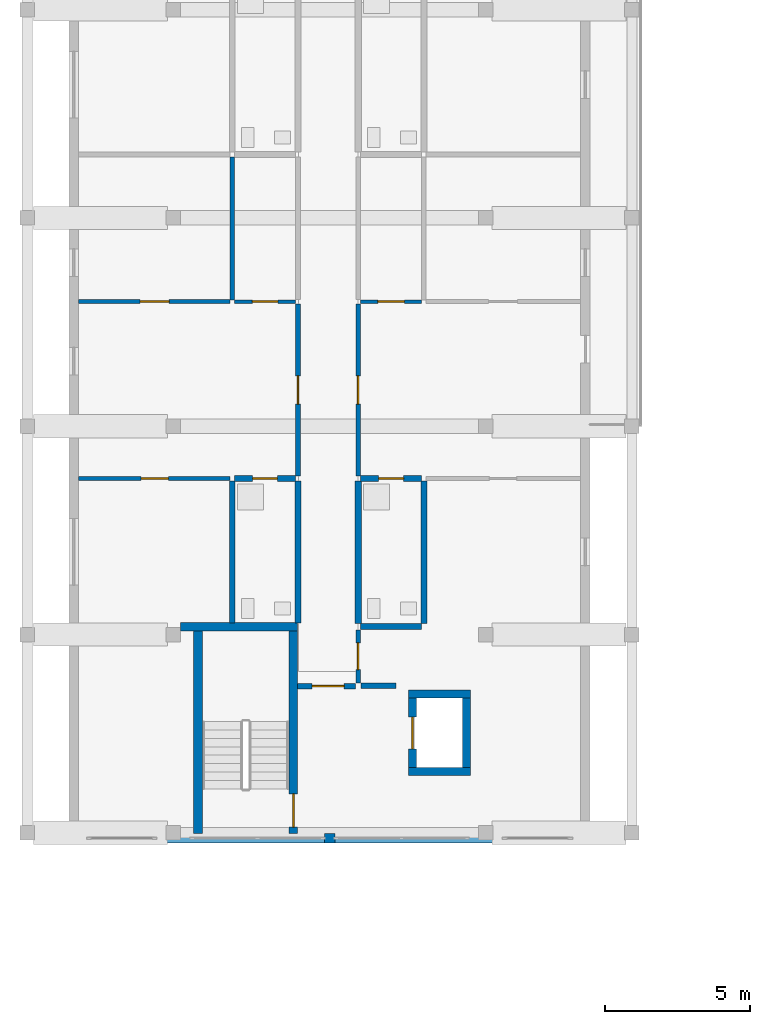
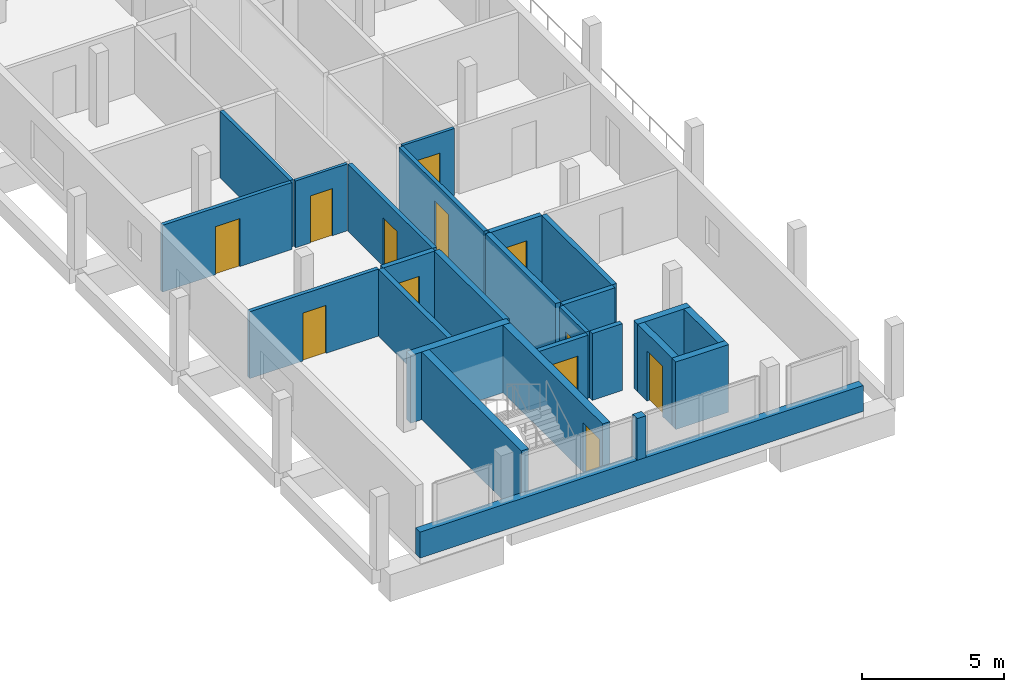
# One storey, part 12 of 29: 26 walls, 12 doors, 12 openings.
"""IFC4 building model written with IfcOpenShell, lengths in metres."""

from ifc_helpers import new_model, si_unit, derived_unit, direction, frame, frame_2d, origin, place, context, subcontext, project, spatial, rectangle, extrude, material, layer, layer_set, type_object, element, fill, save


model = new_model("IFC4")

# Units and contexts
model_context = context("Model", 3, precision=1e-05, world=origin(), true_north=direction((0.0, 1.0)))
body_context = subcontext(model_context, "Body", "Model", "MODEL_VIEW")
ifc_project = project(units=[si_unit("LENGTHUNIT", "METRE"), si_unit("AREAUNIT", "SQUARE_METRE"), si_unit("VOLUMEUNIT", "CUBIC_METRE"), si_unit("PLANEANGLEUNIT", "RADIAN"), si_unit("MASSUNIT", "GRAM", prefix="KILO"), derived_unit("THERMALTRANSMITTANCEUNIT", [(si_unit("MASSUNIT", "GRAM", prefix="KILO"), 1), (si_unit("TIMEUNIT", "SECOND"), -3), (si_unit("THERMODYNAMICTEMPERATUREUNIT", "KELVIN"), -1)])], contexts=[model_context])

# Site, building, storey
site_placement = place(None, origin())
site = spatial("IfcSite", under=ifc_project, at=site_placement, CompositionType="ELEMENT")
building_placement = place(site_placement, origin())
building = spatial("IfcBuilding", under=site, at=building_placement, Name="Ochrekiln Boulevard Commons", CompositionType="ELEMENT")
storey_placement = place(building_placement, frame((0.0, 0.0, 37.27490234375)))
storey = spatial("IfcBuildingStorey", under=building, at=storey_placement, Name="L11", CompositionType="ELEMENT", Elevation=37.27490234375)

# Walls
ifc_material_1 = material(Name="Desert ochre clinker brick masonry ASTM C216 Grade SW", Category="masonry")
ifc_layer_1 = layer(ifc_material_1, 0.320068359375)
ifc_layer_set_1 = layer_set([ifc_layer_1], Name="Desert ochre clinker brick masonry ASTM C216 Grade SW")
wall_type_1 = type_object("IfcWallType", Name="WL-EXT-OCHRE-320", PredefinedType="SOLIDWALL", material=ifc_layer_set_1)
wall_1_placement = place(storey_placement, frame((1.800048828125, 68.56005859375, 0.0), z_axis=(0.0, 0.0, 1.0), x_axis=(1.0, 0.0, 0.0)))
element("IfcWall", 1, at=wall_1_placement, inside=storey, type_object=wall_type_1, Name="Block A L11 Courtyard Gable Sill Wall", PredefinedType="SOLIDWALL", context=body_context, shape_type="SweptSolid", body=[
    extrude(rectangle(XDim=18.0, YDim=0.320068359375, at=frame_2d((9.0, 0.0))), origin(), (0.0, 0.0, 1.0), 1.110107421875),
])
wall_2_placement = place(storey_placement, frame((10.6201171875, 68.56005859375, 1.110107421875), z_axis=(0.0, 0.0, 1.0), x_axis=(1.0, 0.0, 0.0)))
element("IfcWall", 2, at=wall_2_placement, inside=storey, type_object=wall_type_1, Name="Block A L11 Courtyard Gable Mullion Pier", PredefinedType="SOLIDWALL", context=body_context, shape_type="SweptSolid", body=[
    extrude(rectangle(XDim=0.35986328125, YDim=0.320068359375, at=frame_2d((0.179931640625, 0.0))), origin(), (0.0, 0.0, 1.0), 1.7900390625),
])
ifc_material_2 = material(Name="Moisture-resistant cementitious tile backer wall")
ifc_layer_2 = layer(ifc_material_2, 0.199951171875)
ifc_layer_set_2 = layer_set([ifc_layer_2], Name="Moisture-resistant cementitious tile backer wall")
wall_type_2 = type_object("IfcWallType", Name="WL-PLM-200", PredefinedType="PLUMBINGWALL", material=ifc_layer_set_2)
wall_3_placement = place(storey_placement, frame((11.8720703125, 75.875, 0.0), z_axis=(0.0, 0.0, 1.0), x_axis=(1.0, 0.0, 0.0)))
element("IfcWall", 3, at=wall_3_placement, inside=storey, type_object=wall_type_2, Name="L11 Interior Wall W-PW200", PredefinedType="PLUMBINGWALL", context=body_context, shape_type="SweptSolid", body=[
    extrude(rectangle(XDim=2.10791015625, YDim=0.199951171875, at=frame_2d((1.053955078125, 0.0))), origin(), (0.0, 0.0, 1.0), 2.8701171875),
])

# Wall, opening, door
wall_4_placement = place(storey_placement, frame((7.52001953125, 80.991943359375, 0.0), z_axis=(0.0, 0.0, 1.0), x_axis=(1.0, 0.0, 0.0)))
wall_4 = element("IfcWall", 4, at=wall_4_placement, inside=storey, type_object=wall_type_2, Name="L11 Interior Wall W-PW200", PredefinedType="PLUMBINGWALL", context=body_context, shape_type="SweptSolid", body=[
    extrude(rectangle(XDim=2.10791015625, YDim=0.199951171875, at=frame_2d((1.053955078125, 0.0))), origin(), (0.0, 0.0, 1.0), 2.8701171875),
])
opening_1_placement = place(wall_4_placement, frame((0.6201171875, 0.0, 0.0)))
opening_1 = element("IfcOpeningElement", 5, at=opening_1_placement, cuts=wall_4, Name="Opening D-L11-1246", PredefinedType="OPENING", context=body_context, shape_type="SweptSolid", body=[
    extrude(rectangle(XDim=0.860107421875, YDim=2.0, at=frame_2d((0.43017578125, 1.0))), frame((0.0, 0.10986328125, 0.0), z_axis=(0.0, -1.0, 0.0), x_axis=(1.0, 0.0, 0.0)), (0.0, 0.0, 1.0), 0.219970703125),
])
ifc_material_3 = material(Name="Solid core architectural oak door leaf")
door_type_1 = type_object("IfcDoorType", Name="DR-INT-BTH-086", OperationType="NOTDEFINED", PredefinedType="DOOR", material=ifc_material_3)
door_1_placement = place(opening_1_placement, frame((0.860107421875, 0.0, 0.0), z_axis=(0.0, 0.0, 1.0), x_axis=(-1.0, 0.0, 0.0)))
door_1 = element("IfcDoor", 6, at=door_1_placement, inside=storey, type_object=door_type_1, Name="L11 Interior Door to Accessible Apartment Bathroom", OperationType="SINGLE_SWING_RIGHT", OverallHeight=2.0, OverallWidth=0.860107421875, PredefinedType="DOOR", context=body_context, shape_type="SweptSolid", body=[
    extrude(rectangle(XDim=0.860107421875, YDim=2.0, at=frame_2d((0.43017578125, 1.0))), frame((0.0, 0.02490234375, 0.0), z_axis=(0.0, -1.0, 0.0), x_axis=(1.0, 0.0, 0.0)), (0.0, 0.0, 1.0), 0.050048828125),
])
fill(opening_1, door_1)

# Wall
wall_5_placement = place(storey_placement, frame((7.43994140625, 76.0, 0.0), z_axis=(0.0, 0.0, 1.0), x_axis=(0.0, 1.0, 0.0)))
element("IfcWall", 7, at=wall_5_placement, inside=storey, type_object=wall_type_2, Name="L11 Interior Wall W-PW200", PredefinedType="PLUMBINGWALL", context=body_context, shape_type="SweptSolid", body=[
    extrude(rectangle(XDim=4.912109375, YDim=0.199951171875, at=frame_2d((2.4560546875, 0.0))), origin(), (0.0, 0.0, 1.0), 2.8701171875),
])

# Wall, opening, door
wall_6_placement = place(storey_placement, frame((11.8720703125, 80.991943359375, 0.0), z_axis=(0.0, 0.0, 1.0), x_axis=(1.0, 0.0, 0.0)))
wall_6 = element("IfcWall", 8, at=wall_6_placement, inside=storey, type_object=wall_type_2, Name="L11 Interior Wall W-PW200", PredefinedType="PLUMBINGWALL", context=body_context, shape_type="SweptSolid", body=[
    extrude(rectangle(XDim=2.10791015625, YDim=0.199951171875, at=frame_2d((1.053955078125, 0.0))), origin(), (0.0, 0.0, 1.0), 2.8701171875),
])
opening_2_placement = place(wall_6_placement, frame((0.6279296875, 0.0, 0.0)))
opening_2 = element("IfcOpeningElement", 9, at=opening_2_placement, cuts=wall_6, Name="Opening D-L11-1254", PredefinedType="OPENING", context=body_context, shape_type="SweptSolid", body=[
    extrude(rectangle(XDim=0.860107421875, YDim=2.0, at=frame_2d((0.43017578125, 1.0))), frame((0.0, 0.10986328125, 0.0), z_axis=(0.0, -1.0, 0.0), x_axis=(1.0, 0.0, 0.0)), (0.0, 0.0, 1.0), 0.219970703125),
])
door_2_placement = place(opening_2_placement, frame((0.860107421875, 0.0, 0.0), z_axis=(0.0, 0.0, 1.0), x_axis=(-1.0, 0.0, 0.0)))
door_2 = element("IfcDoor", 10, at=door_2_placement, inside=storey, type_object=door_type_1, Name="L11 Interior Door to Apartment Bathroom", OperationType="SINGLE_SWING_RIGHT", OverallHeight=2.0, OverallWidth=0.860107421875, PredefinedType="DOOR", context=body_context, shape_type="SweptSolid", body=[
    extrude(rectangle(XDim=0.860107421875, YDim=2.0, at=frame_2d((0.43017578125, 1.0))), frame((0.0, 0.02490234375, 0.0), z_axis=(0.0, -1.0, 0.0), x_axis=(1.0, 0.0, 0.0)), (0.0, 0.0, 1.0), 0.050048828125),
])
fill(opening_2, door_2)

# Walls
wall_7_placement = place(storey_placement, frame((14.06005859375, 75.97509765625, 0.0), z_axis=(0.0, 0.0, 1.0), x_axis=(0.0, 1.0, 0.0)))
element("IfcWall", 11, at=wall_7_placement, inside=storey, type_object=wall_type_2, Name="L11 Interior Wall W-PW200", PredefinedType="PLUMBINGWALL", context=body_context, shape_type="SweptSolid", body=[
    extrude(rectangle(XDim=4.93701171875, YDim=0.199951171875, at=frame_2d((2.468505859375, 0.0))), origin(), (0.0, 0.0, 1.0), 2.8701171875),
])
ifc_layer_3 = layer(ifc_material_2, 0.219970703125)
ifc_layer_set_3 = layer_set([ifc_layer_3], Name="Moisture-resistant cementitious tile backer wall")
wall_type_3 = type_object("IfcWallType", Name="WL-PLM-220", PredefinedType="PLUMBINGWALL", material=ifc_layer_set_3)
wall_8_placement = place(storey_placement, frame((9.7099609375, 76.0, 0.0), z_axis=(0.0, 0.0, 1.0), x_axis=(0.0, 1.0, 0.0)))
element("IfcWall", 12, at=wall_8_placement, inside=storey, type_object=wall_type_3, Name="L11 Interior Wall W-PW220", PredefinedType="PLUMBINGWALL", context=body_context, shape_type="SweptSolid", body=[
    extrude(rectangle(XDim=4.912109375, YDim=0.219970703125, at=frame_2d((2.4560546875, 0.0))), origin(), (0.0, 0.0, 1.0), 2.8701171875),
])
wall_9_placement = place(storey_placement, frame((11.7900390625, 75.97509765625, 0.0), z_axis=(0.0, 0.0, 1.0), x_axis=(0.0, 1.0, 0.0)))
element("IfcWall", 13, at=wall_9_placement, inside=storey, type_object=wall_type_3, Name="L11 Interior Wall W-PW220", PredefinedType="PLUMBINGWALL", context=body_context, shape_type="SweptSolid", body=[
    extrude(rectangle(XDim=4.93701171875, YDim=0.219970703125, at=frame_2d((2.468505859375, 0.0))), origin(), (0.0, 0.0, 1.0), 2.8701171875),
])

# Wall, opening, door
ifc_material_4 = material(Name="Fire-rated Type X gypsum board on steel studs", Category="steel")
ifc_layer_4 = layer(ifc_material_4, 0.1650390625)
ifc_layer_set_4 = layer_set([ifc_layer_4], Name="Fire-rated Type X gypsum board on steel studs")
wall_type_4 = type_object("IfcWallType", Name="WL-PT-CORR-165", PredefinedType="PARTITIONING", material=ifc_layer_set_4)
wall_10_placement = place(storey_placement, frame((11.7900390625, 73.929931640625, 0.0), z_axis=(0.0, 0.0, 1.0), x_axis=(0.0, 1.0, 0.0)))
wall_10 = element("IfcWall", 14, at=wall_10_placement, inside=storey, type_object=wall_type_4, Name="L11 Interior Wall W-PC165", PredefinedType="PARTITIONING", context=body_context, shape_type="SweptSolid", body=[
    extrude(rectangle(XDim=1.820068359375, YDim=0.1650390625, at=frame_2d((0.91015625, 0.0))), origin(), (0.0, 0.0, 1.0), 2.8701171875),
])
opening_3_placement = place(wall_10_placement, frame((0.4599609375, 0.0, 0.0)))
opening_3 = element("IfcOpeningElement", 15, at=opening_3_placement, cuts=wall_10, Name="Opening D-L11-1241", PredefinedType="OPENING", context=body_context, shape_type="SweptSolid", body=[
    extrude(rectangle(XDim=0.919921875, YDim=2.0400390625, at=frame_2d((0.4599609375, 1.02001953125))), frame((0.0, 0.092529296875, 0.0), z_axis=(0.0, -1.0, 0.0), x_axis=(1.0, 0.0, 0.0)), (0.0, 0.0, 1.0), 0.18505859375),
])
ifc_material_5 = material(Name="Hollow metal fire-rated steel door assembly", Category="steel")
door_type_2 = type_object("IfcDoorType", Name="DR-SRV-90", OperationType="NOTDEFINED", PredefinedType="DOOR", material=ifc_material_5)
door_3_placement = place(opening_3_placement, frame((0.919921875, 0.0, 0.0), z_axis=(0.0, 0.0, 1.0), x_axis=(-1.0, 0.0, 0.0)))
door_3 = element("IfcDoor", 16, at=door_3_placement, inside=storey, type_object=door_type_2, Name="L11 Interior Door to Hydronic and Electrical Riser Room", OperationType="SINGLE_SWING_LEFT", OverallHeight=2.0400390625, OverallWidth=0.919921875, PredefinedType="DOOR", context=body_context, shape_type="SweptSolid", body=[
    extrude(rectangle(XDim=0.919921875, YDim=2.0400390625, at=frame_2d((0.4599609375, 1.02001953125))), frame((0.0, 0.02490234375, 0.0), z_axis=(0.0, -1.0, 0.0), x_axis=(1.0, 0.0, 0.0)), (0.0, 0.0, 1.0), 0.050048828125),
])
fill(opening_3, door_3)

wall_11_placement = place(storey_placement, frame((9.7099609375, 81.072021484375, 0.0), z_axis=(0.0, 0.0, 1.0), x_axis=(0.0, 1.0, 0.0)))
wall_11 = element("IfcWall", 17, at=wall_11_placement, inside=storey, type_object=wall_type_4, Name="L11 Interior Wall W-PC165", PredefinedType="PARTITIONING", context=body_context, shape_type="SweptSolid", body=[
    extrude(rectangle(XDim=5.9580078125, YDim=0.1650390625, at=frame_2d((2.97900390625, 0.0))), origin(), (0.0, 0.0, 1.0), 2.8701171875),
])
opening_4_placement = place(wall_11_placement, frame((2.489013671875, 0.0, 0.0)))
opening_4 = element("IfcOpeningElement", 18, at=opening_4_placement, cuts=wall_11, Name="Opening D-L11-1242", PredefinedType="OPENING", context=body_context, shape_type="SweptSolid", body=[
    extrude(rectangle(XDim=0.97998046875, YDim=2.080078125, at=frame_2d((0.489990234375, 1.0400390625))), frame((0.0, 0.092529296875, 0.0), z_axis=(0.0, -1.0, 0.0), x_axis=(1.0, 0.0, 0.0)), (0.0, 0.0, 1.0), 0.18505859375),
])
door_type_3 = type_object("IfcDoorType", Name="DR-APT-60", OperationType="NOTDEFINED", PredefinedType="DOOR", material=ifc_material_3)
door_4_placement = place(opening_4_placement, origin())
door_4 = element("IfcDoor", 19, at=door_4_placement, inside=storey, type_object=door_type_3, Name="L11 Interior Door to Two-Bedroom Apartment Living Room", OperationType="SINGLE_SWING_RIGHT", OverallHeight=2.080078125, OverallWidth=0.97998046875, PredefinedType="DOOR", context=body_context, shape_type="SweptSolid", body=[
    extrude(rectangle(XDim=0.97998046875, YDim=2.080078125, at=frame_2d((0.489990234375, 1.0400390625))), frame((0.0, 0.02490234375, 0.0), z_axis=(0.0, -1.0, 0.0), x_axis=(1.0, 0.0, 0.0)), (0.0, 0.0, 1.0), 0.050048828125),
])
fill(opening_4, door_4)

wall_12_placement = place(storey_placement, frame((11.7900390625, 81.072021484375, 0.0), z_axis=(0.0, 0.0, 1.0), x_axis=(0.0, 1.0, 0.0)))
wall_12 = element("IfcWall", 20, at=wall_12_placement, inside=storey, type_object=wall_type_4, Name="L11 Interior Wall W-PC165", PredefinedType="PARTITIONING", context=body_context, shape_type="SweptSolid", body=[
    extrude(rectangle(XDim=5.9580078125, YDim=0.1650390625, at=frame_2d((2.97900390625, 0.0))), origin(), (0.0, 0.0, 1.0), 2.8701171875),
])
opening_5_placement = place(wall_12_placement, frame((2.489013671875, 0.0, 0.0)))
opening_5 = element("IfcOpeningElement", 21, at=opening_5_placement, cuts=wall_12, Name="Opening D-L11-1244", PredefinedType="OPENING", context=body_context, shape_type="SweptSolid", body=[
    extrude(rectangle(XDim=0.97998046875, YDim=2.080078125, at=frame_2d((0.489990234375, 1.0400390625))), frame((0.0, 0.092529296875, 0.0), z_axis=(0.0, -1.0, 0.0), x_axis=(1.0, 0.0, 0.0)), (0.0, 0.0, 1.0), 0.18505859375),
])
door_5_placement = place(opening_5_placement, frame((0.97998046875, 0.0, 0.0), z_axis=(0.0, 0.0, 1.0), x_axis=(-1.0, 0.0, 0.0)))
door_5 = element("IfcDoor", 22, at=door_5_placement, inside=storey, type_object=door_type_3, Name="L11 Interior Door to Two-Bedroom Apartment Living Room", OperationType="SINGLE_SWING_RIGHT", OverallHeight=2.080078125, OverallWidth=0.97998046875, PredefinedType="DOOR", context=body_context, shape_type="SweptSolid", body=[
    extrude(rectangle(XDim=0.97998046875, YDim=2.080078125, at=frame_2d((0.489990234375, 1.0400390625))), frame((0.0, 0.02490234375, 0.0), z_axis=(0.0, -1.0, 0.0), x_axis=(1.0, 0.0, 0.0)), (0.0, 0.0, 1.0), 0.050048828125),
])
fill(opening_5, door_5)

# Wall
ifc_layer_5 = layer(ifc_material_4, 0.18994140625)
ifc_layer_set_5 = layer_set([ifc_layer_5], Name="Fire-rated Type X gypsum board on steel studs")
wall_type_5 = type_object("IfcWallType", Name="WL-PT-LBY-190", PredefinedType="PARTITIONING", material=ifc_layer_set_5)
wall_13_placement = place(storey_placement, frame((11.8798828125, 73.8349609375, 0.0), z_axis=(0.0, 0.0, 1.0), x_axis=(1.0, 0.0, 0.0)))
element("IfcWall", 23, at=wall_13_placement, inside=storey, type_object=wall_type_5, Name="L11 Interior Wall W-PL190", PredefinedType="PARTITIONING", context=body_context, shape_type="SweptSolid", body=[
    extrude(rectangle(XDim=1.22021484375, YDim=0.18994140625, at=frame_2d((0.610107421875, 0.0))), origin(), (0.0, 0.0, 1.0), 2.8701171875),
])

# Wall, opening, door
wall_14_placement = place(storey_placement, frame((9.699951171875, 73.820068359375, 0.0), z_axis=(0.0, 0.0, 1.0), x_axis=(1.0, 0.0, 0.0)))
wall_14 = element("IfcWall", 24, at=wall_14_placement, inside=storey, type_object=wall_type_5, Name="L11 Interior Wall W-PL190", PredefinedType="PARTITIONING", context=body_context, shape_type="SweptSolid", body=[
    extrude(rectangle(XDim=2.0, YDim=0.18994140625, at=frame_2d((1.0, 0.0))), origin(), (0.0, 0.0, 1.0), 2.8701171875),
])
opening_6_placement = place(wall_14_placement, frame((0.5, 0.0, 0.0)))
opening_6 = element("IfcOpeningElement", 25, at=opening_6_placement, cuts=wall_14, Name="Opening D-L11-1239", PredefinedType="OPENING", context=body_context, shape_type="SweptSolid", body=[
    extrude(rectangle(XDim=1.10009765625, YDim=2.1201171875, at=frame_2d((0.550048828125, 1.06005859375))), frame((0.0, 0.10498046875, 0.0), z_axis=(0.0, -1.0, 0.0), x_axis=(1.0, 0.0, 0.0)), (0.0, 0.0, 1.0), 0.2099609375),
])
door_type_4 = type_object("IfcDoorType", Name="DR-LOBBY-60", OperationType="NOTDEFINED", PredefinedType="DOOR", material=ifc_material_5)
door_6_placement = place(opening_6_placement, frame((1.10009765625, 0.0, 0.0), z_axis=(0.0, 0.0, 1.0), x_axis=(-1.0, 0.0, 0.0)))
door_6 = element("IfcDoor", 26, at=door_6_placement, inside=storey, type_object=door_type_4, Name="L11 Interior Door to Fire Service Access Elevator Lobby", OperationType="SINGLE_SWING_LEFT", OverallHeight=2.1201171875, OverallWidth=1.10009765625, PredefinedType="DOOR", context=body_context, shape_type="SweptSolid", body=[
    extrude(rectangle(XDim=1.10009765625, YDim=2.1201171875, at=frame_2d((0.550048828125, 1.06005859375))), frame((0.0, 0.02490234375, 0.0), z_axis=(0.0, -1.0, 0.0), x_axis=(1.0, 0.0, 0.0)), (0.0, 0.0, 1.0), 0.050048828125),
])
fill(opening_6, door_6)

ifc_layer_6 = layer(ifc_material_4, 0.1201171875)
ifc_layer_set_6 = layer_set([ifc_layer_6], Name="Fire-rated Type X gypsum board on steel studs")
wall_type_6 = type_object("IfcWallType", Name="WL-PT-LGT-120", PredefinedType="PARTITIONING", material=ifc_layer_set_6)
wall_15_placement = place(storey_placement, frame((7.52001953125, 87.110107421875, 0.0), z_axis=(0.0, 0.0, 1.0), x_axis=(1.0, 0.0, 0.0)))
wall_15 = element("IfcWall", 27, at=wall_15_placement, inside=storey, type_object=wall_type_6, Name="L11 Interior Wall W-PL120", PredefinedType="PARTITIONING", context=body_context, shape_type="SweptSolid", body=[
    extrude(rectangle(XDim=2.10791015625, YDim=0.1201171875, at=frame_2d((1.053955078125, 0.0))), origin(), (0.0, 0.0, 1.0), 2.8701171875),
])
opening_7_placement = place(wall_15_placement, frame((0.610107421875, 0.0, 0.0)))
opening_7 = element("IfcOpeningElement", 28, at=opening_7_placement, cuts=wall_15, Name="Opening D-L11-1247", PredefinedType="OPENING", context=body_context, shape_type="SweptSolid", body=[
    extrude(rectangle(XDim=0.8798828125, YDim=2.02001953125, at=frame_2d((0.43994140625, 1.010009765625))), frame((0.0, 0.070068359375, 0.0), z_axis=(0.0, -1.0, 0.0), x_axis=(1.0, 0.0, 0.0)), (0.0, 0.0, 1.0), 0.14013671875),
])
door_type_5 = type_object("IfcDoorType", Name="DR-INT-KIT-088", OperationType="NOTDEFINED", PredefinedType="DOOR", material=ifc_material_3)
door_7_placement = place(opening_7_placement, origin())
door_7 = element("IfcDoor", 29, at=door_7_placement, inside=storey, type_object=door_type_5, Name="L11 Interior Door to Apartment Kitchen", OperationType="SINGLE_SWING_LEFT", OverallHeight=2.02001953125, OverallWidth=0.8798828125, PredefinedType="DOOR", context=body_context, shape_type="SweptSolid", body=[
    extrude(rectangle(XDim=0.8798828125, YDim=2.02001953125, at=frame_2d((0.43994140625, 1.010009765625))), frame((0.0, 0.02490234375, 0.0), z_axis=(0.0, -1.0, 0.0), x_axis=(1.0, 0.0, 0.0)), (0.0, 0.0, 1.0), 0.050048828125),
])
fill(opening_7, door_7)

wall_16_placement = place(storey_placement, frame((11.8720703125, 87.110107421875, 0.0), z_axis=(0.0, 0.0, 1.0), x_axis=(1.0, 0.0, 0.0)))
wall_16 = element("IfcWall", 30, at=wall_16_placement, inside=storey, type_object=wall_type_6, Name="L11 Interior Wall W-PL120", PredefinedType="PARTITIONING", context=body_context, shape_type="SweptSolid", body=[
    extrude(rectangle(XDim=2.10791015625, YDim=0.1201171875, at=frame_2d((1.053955078125, 0.0))), origin(), (0.0, 0.0, 1.0), 2.8701171875),
])
opening_8_placement = place(wall_16_placement, frame((0.597900390625, 0.0, 0.0)))
opening_8 = element("IfcOpeningElement", 31, at=opening_8_placement, cuts=wall_16, Name="Opening D-L11-1255", PredefinedType="OPENING", context=body_context, shape_type="SweptSolid", body=[
    extrude(rectangle(XDim=0.919921875, YDim=2.02001953125, at=frame_2d((0.4599609375, 1.010009765625))), frame((0.0, 0.070068359375, 0.0), z_axis=(0.0, -1.0, 0.0), x_axis=(1.0, 0.0, 0.0)), (0.0, 0.0, 1.0), 0.14013671875),
])
door_type_6 = type_object("IfcDoorType", Name="DR-INT-KIT-092", OperationType="NOTDEFINED", PredefinedType="DOOR", material=ifc_material_3)
door_8_placement = place(opening_8_placement, origin())
door_8 = element("IfcDoor", 32, at=door_8_placement, inside=storey, type_object=door_type_6, Name="L11 Interior Door to Apartment Kitchen", OperationType="SINGLE_SWING_LEFT", OverallHeight=2.02001953125, OverallWidth=0.919921875, PredefinedType="DOOR", context=body_context, shape_type="SweptSolid", body=[
    extrude(rectangle(XDim=0.919921875, YDim=2.02001953125, at=frame_2d((0.4599609375, 1.010009765625))), frame((0.0, 0.02490234375, 0.0), z_axis=(0.0, -1.0, 0.0), x_axis=(1.0, 0.0, 0.0)), (0.0, 0.0, 1.0), 0.050048828125),
])
fill(opening_8, door_8)

ifc_layer_7 = layer(ifc_material_4, 0.14990234375)
ifc_layer_set_7 = layer_set([ifc_layer_7], Name="Fire-rated Type X gypsum board on steel studs")
wall_type_7 = type_object("IfcWallType", Name="WL-PT-STD-150", PredefinedType="PARTITIONING", material=ifc_layer_set_7)
wall_17_placement = place(storey_placement, frame((2.1201171875, 80.991943359375, 0.0), z_axis=(0.0, 0.0, 1.0), x_axis=(1.0, 0.0, 0.0)))
wall_17 = element("IfcWall", 33, at=wall_17_placement, inside=storey, type_object=wall_type_7, Name="L11 Interior Wall W-PS150", PredefinedType="PARTITIONING", context=body_context, shape_type="SweptSolid", body=[
    extrude(rectangle(XDim=5.239990234375, YDim=0.14990234375, at=frame_2d((2.6201171875, 0.0))), origin(), (0.0, 0.0, 1.0), 2.8701171875),
])
opening_9_placement = place(wall_17_placement, frame((2.1650390625, 0.0, 0.0)))
opening_9 = element("IfcOpeningElement", 34, at=opening_9_placement, cuts=wall_17, Name="Opening D-L11-1248", PredefinedType="OPENING", context=body_context, shape_type="SweptSolid", body=[
    extrude(rectangle(XDim=0.93994140625, YDim=2.06005859375, at=frame_2d((0.469970703125, 1.030029296875))), frame((0.0, 0.0849609375, 0.0), z_axis=(0.0, -1.0, 0.0), x_axis=(1.0, 0.0, 0.0)), (0.0, 0.0, 1.0), 0.169921875),
])
door_type_7 = type_object("IfcDoorType", Name="DR-INT-BED-094", OperationType="NOTDEFINED", PredefinedType="DOOR", material=ifc_material_3)
door_9_placement = place(opening_9_placement, frame((0.93994140625, 0.0, 0.0), z_axis=(0.0, 0.0, 1.0), x_axis=(-1.0, 0.0, 0.0)))
door_9 = element("IfcDoor", 35, at=door_9_placement, inside=storey, type_object=door_type_7, Name="L11 Interior Door to Primary Apartment Bedroom", OperationType="SINGLE_SWING_RIGHT", OverallHeight=2.06005859375, OverallWidth=0.93994140625, PredefinedType="DOOR", context=body_context, shape_type="SweptSolid", body=[
    extrude(rectangle(XDim=0.93994140625, YDim=2.06005859375, at=frame_2d((0.469970703125, 1.030029296875))), frame((0.0, 0.02490234375, 0.0), z_axis=(0.0, -1.0, 0.0), x_axis=(1.0, 0.0, 0.0)), (0.0, 0.0, 1.0), 0.050048828125),
])
fill(opening_9, door_9)

wall_18_placement = place(storey_placement, frame((2.1201171875, 87.110107421875, 0.0), z_axis=(0.0, 0.0, 1.0), x_axis=(1.0, 0.0, 0.0)))
wall_18 = element("IfcWall", 36, at=wall_18_placement, inside=storey, type_object=wall_type_7, Name="L11 Interior Wall W-PS150", PredefinedType="PARTITIONING", context=body_context, shape_type="SweptSolid", body=[
    extrude(rectangle(XDim=5.239990234375, YDim=0.14990234375, at=frame_2d((2.6201171875, 0.0))), origin(), (0.0, 0.0, 1.0), 2.8701171875),
])
opening_10_placement = place(wall_18_placement, frame((2.135009765625, 0.0, 0.0)))
opening_10 = element("IfcOpeningElement", 37, at=opening_10_placement, cuts=wall_18, Name="Opening D-L11-1249", PredefinedType="OPENING", context=body_context, shape_type="SweptSolid", body=[
    extrude(rectangle(XDim=1.0, YDim=2.06005859375, at=frame_2d((0.5, 1.030029296875))), frame((0.0, 0.0849609375, 0.0), z_axis=(0.0, -1.0, 0.0), x_axis=(1.0, 0.0, 0.0)), (0.0, 0.0, 1.0), 0.169921875),
])
door_type_8 = type_object("IfcDoorType", Name="DR-INT-BED-100", OperationType="NOTDEFINED", PredefinedType="DOOR", material=ifc_material_3)
door_10_placement = place(opening_10_placement, origin())
door_10 = element("IfcDoor", 38, at=door_10_placement, inside=storey, type_object=door_type_8, Name="L11 Interior Door to Secondary Apartment Bedroom", OperationType="SINGLE_SWING_LEFT", OverallHeight=2.06005859375, OverallWidth=1.0, PredefinedType="DOOR", context=body_context, shape_type="SweptSolid", body=[
    extrude(rectangle(XDim=1.0, YDim=2.06005859375, at=frame_2d((0.5, 1.030029296875))), frame((0.0, 0.02490234375, 0.0), z_axis=(0.0, -1.0, 0.0), x_axis=(1.0, 0.0, 0.0)), (0.0, 0.0, 1.0), 0.050048828125),
])
fill(opening_10, door_10)

# Walls
wall_19_placement = place(storey_placement, frame((7.43994140625, 87.169921875, 0.0), z_axis=(0.0, 0.0, 1.0), x_axis=(0.0, 1.0, 0.0)))
element("IfcWall", 39, at=wall_19_placement, inside=storey, type_object=wall_type_7, Name="L11 Interior Wall W-PS150", PredefinedType="PARTITIONING", context=body_context, shape_type="SweptSolid", body=[
    extrude(rectangle(XDim=4.93212890625, YDim=0.14990234375, at=frame_2d((2.466064453125, 0.0))), origin(), (0.0, 0.0, 1.0), 2.8701171875),
])
ifc_material_6 = material(Name="Concrete C40/50", Category="concrete")
ifc_layer_8 = layer(ifc_material_6, 0.27490234375)
ifc_layer_set_8 = layer_set([ifc_layer_8], Name="Concrete C40/50")
wall_type_8 = type_object("IfcWallType", Name="WL-SH-275", PredefinedType="SHEAR", material=ifc_layer_set_8)
for number, where, z_axis, x_axis, name in (
    (40, (13.52490234375, 70.862548828125, 0.0), (0.0, 0.0, 1.0), (1.0, 0.0, 0.0), "Elevator FF-A1 L11 Hoistway Shear Wall"),
    (41, (13.52490234375, 73.53759765625, 0.0), (0.0, 0.0, 1.0), (1.0, 0.0, 0.0), "Elevator FF-A1 L11 Hoistway Shear Wall"),
):
    element("IfcWall", number, at=place(storey_placement, frame(where, z_axis=z_axis, x_axis=x_axis)), inside=storey, type_object=wall_type_8, Name=name, PredefinedType="SHEAR", context=body_context, shape_type="SweptSolid", body=[
        extrude(rectangle(XDim=2.150146484375, YDim=0.27490234375, at=frame_2d((1.0751953125, 0.0))), origin(), (0.0, 0.0, 1.0), 2.900146484375),
    ])

# Wall, opening, door
wall_20_placement = place(storey_placement, frame((13.66259765625, 71.0, 0.0), z_axis=(0.0, 0.0, 1.0), x_axis=(0.0, 1.0, 0.0)))
wall_20 = element("IfcWall", 42, at=wall_20_placement, inside=storey, type_object=wall_type_8, Name="Elevator FF-A1 L11 Hoistway Shear Wall", PredefinedType="SHEAR", context=body_context, shape_type="SweptSolid", body=[
    extrude(rectangle(XDim=2.39990234375, YDim=0.27490234375, at=frame_2d((1.199951171875, 0.0))), origin(), (0.0, 0.0, 1.0), 2.900146484375),
])
opening_11_placement = place(wall_20_placement, frame((0.64990234375, 0.0, 0.0)))
opening_11 = element("IfcOpeningElement", 43, at=opening_11_placement, cuts=wall_20, Name="Opening LD-FF-A1-L11", PredefinedType="OPENING", context=body_context, shape_type="SweptSolid", body=[
    extrude(rectangle(XDim=1.10009765625, YDim=2.14990234375, at=frame_2d((0.550048828125, 1.074951171875))), frame((0.0, 0.1474609375, 0.0), z_axis=(0.0, -1.0, 0.0), x_axis=(1.0, 0.0, 0.0)), (0.0, 0.0, 1.0), 0.294921875),
])
ifc_material_7 = material(Name="Brushed stainless steel 316 elevator cab and doors", Category="steel")
door_type_9 = type_object("IfcDoorType", Name="DR-LIFT-LD90", OperationType="SLIDING_TO_LEFT", PredefinedType="DOOR", material=ifc_material_7)
door_11_placement = place(opening_11_placement, origin())
door_11 = element("IfcDoor", 44, at=door_11_placement, inside=storey, type_object=door_type_9, Name="Elevator FF-A1 L11 Sliding Landing Door LD-FF-A1-L11", OperationType="SLIDING_TO_LEFT", OverallHeight=2.14990234375, OverallWidth=1.10009765625, PredefinedType="DOOR", context=body_context, shape_type="SweptSolid", body=[
    extrude(rectangle(XDim=1.10009765625, YDim=2.14990234375, at=frame_2d((0.550048828125, 1.074951171875))), frame((0.0, 0.02490234375, 0.0), z_axis=(0.0, -1.0, 0.0), x_axis=(1.0, 0.0, 0.0)), (0.0, 0.0, 1.0), 0.050048828125),
])
fill(opening_11, door_11)

# Walls
wall_21_placement = place(storey_placement, frame((15.53759765625, 71.0, 0.0), z_axis=(0.0, 0.0, 1.0), x_axis=(0.0, 1.0, 0.0)))
element("IfcWall", 45, at=wall_21_placement, inside=storey, type_object=wall_type_8, Name="Elevator FF-A1 L11 Hoistway Shear Wall", PredefinedType="SHEAR", context=body_context, shape_type="SweptSolid", body=[
    extrude(rectangle(XDim=2.39990234375, YDim=0.27490234375, at=frame_2d((1.199951171875, 0.0))), origin(), (0.0, 0.0, 1.0), 2.900146484375),
])
ifc_layer_9 = layer(ifc_material_6, 0.300048828125)
ifc_layer_set_9 = layer_set([ifc_layer_9], Name="Concrete C40/50")
wall_type_9 = type_object("IfcWallType", Name="WL-SH-300", PredefinedType="SHEAR", material=ifc_layer_set_9)
wall_22_placement = place(storey_placement, frame((5.64990234375, 75.8701171875, 0.0), z_axis=(0.0, 0.0, 1.0), x_axis=(1.0, 0.0, 0.0)))
element("IfcWall", 46, at=wall_22_placement, inside=storey, type_object=wall_type_9, Name="Stair ST-A1 L11 Core Shear Wall N", PredefinedType="SHEAR", context=body_context, shape_type="SweptSolid", body=[
    extrude(rectangle(XDim=4.050048828125, YDim=0.300048828125, at=frame_2d((2.02490234375, 0.0))), origin(), (0.0, 0.0, 1.0), 2.900146484375),
])
wall_23_placement = place(storey_placement, frame((6.25, 68.719970703125, 0.0), z_axis=(0.0, 0.0, 1.0), x_axis=(0.0, 1.0, 0.0)))
element("IfcWall", 47, at=wall_23_placement, inside=storey, type_object=wall_type_9, Name="Stair ST-A1 L11 Core Shear Wall W", PredefinedType="SHEAR", context=body_context, shape_type="SweptSolid", body=[
    extrude(rectangle(XDim=7.0, YDim=0.300048828125, at=frame_2d((3.5, 0.0))), origin(), (0.0, 0.0, 1.0), 2.900146484375),
])

# Wall, opening, door
wall_24_placement = place(storey_placement, frame((9.550048828125, 68.719970703125, 0.0), z_axis=(0.0, 0.0, 1.0), x_axis=(0.0, 1.0, 0.0)))
wall_24 = element("IfcWall", 48, at=wall_24_placement, inside=storey, type_object=wall_type_9, Name="Stair ST-A1 L11 Core Shear Wall E", PredefinedType="SHEAR", context=body_context, shape_type="SweptSolid", body=[
    extrude(rectangle(XDim=7.0, YDim=0.300048828125, at=frame_2d((3.5, 0.0))), origin(), (0.0, 0.0, 1.0), 2.900146484375),
])
opening_12_placement = place(wall_24_placement, frame((0.22509765625, 0.0, 0.0)))
opening_12 = element("IfcOpeningElement", 49, at=opening_12_placement, cuts=wall_24, Name="Opening D-L11-ST-A1", PredefinedType="OPENING", context=body_context, shape_type="SweptSolid", body=[
    extrude(rectangle(XDim=1.14990234375, YDim=2.1201171875, at=frame_2d((0.574951171875, 1.06005859375))), frame((0.0, 0.159912109375, 0.0), z_axis=(0.0, -1.0, 0.0), x_axis=(1.0, 0.0, 0.0)), (0.0, 0.0, 1.0), 0.320068359375),
])
door_type_10 = type_object("IfcDoorType", Name="DR-STAIR-90", OperationType="NOTDEFINED", PredefinedType="DOOR", material=ifc_material_5)
door_12_placement = place(opening_12_placement, origin())
door_12 = element("IfcDoor", 50, at=door_12_placement, inside=storey, type_object=door_type_10, Name="Enclosed Exit Stair ST-A1 L11 Rated Door", OperationType="SINGLE_SWING_LEFT", OverallHeight=2.1201171875, OverallWidth=1.14990234375, PredefinedType="DOOR", context=body_context, shape_type="SweptSolid", body=[
    extrude(rectangle(XDim=1.14990234375, YDim=2.1201171875, at=frame_2d((0.574951171875, 1.06005859375))), frame((0.0, 0.02490234375, 0.0), z_axis=(0.0, -1.0, 0.0), x_axis=(1.0, 0.0, 0.0)), (0.0, 0.0, 1.0), 0.050048828125),
])
fill(opening_12, door_12)

save(model, "model.ifc")
